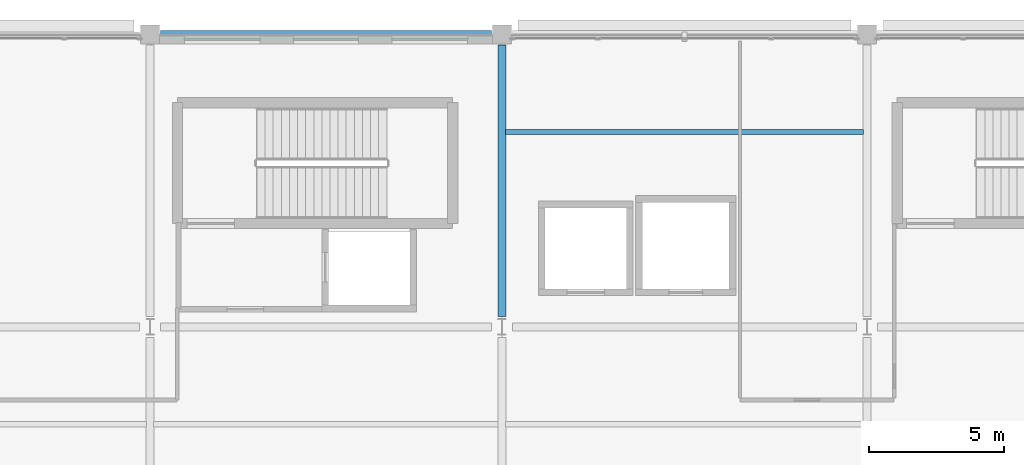
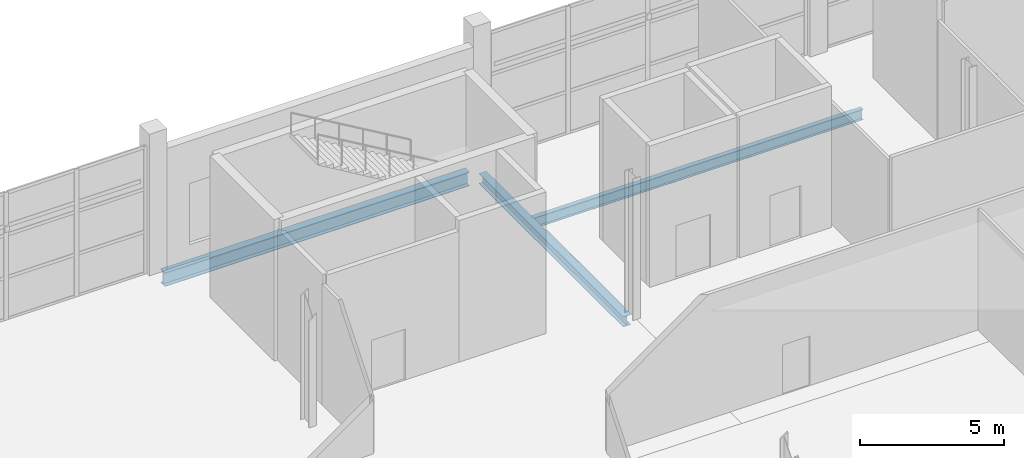
# One storey, part 141 of 191: 3 beams.
"""IFC4 building model written with IfcOpenShell, lengths in metres."""

from ifc_helpers import new_model, si_unit, direction, frame, origin, origin_2d, place, context, subcontext, project, spatial, i_section, extrude, material, material_profile, profile_set, type_object, element, save


model = new_model("IFC4")

# Units and contexts
model_context = context("Model", 3, precision=1e-05, world=origin(), true_north=direction((0.0, 1.0)))
body_context = subcontext(model_context, "Body", "Model", "MODEL_VIEW")
ifc_project = project(units=[si_unit("LENGTHUNIT", "METRE"), si_unit("AREAUNIT", "SQUARE_METRE"), si_unit("VOLUMEUNIT", "CUBIC_METRE"), si_unit("PLANEANGLEUNIT", "RADIAN"), si_unit("MASSUNIT", "GRAM", prefix="KILO")], contexts=[model_context])

# Site, building, storey
site_placement = place(None, origin())
site = spatial("IfcSite", under=ifc_project, at=site_placement, CompositionType="ELEMENT")
building_placement = place(site_placement, origin())
building = spatial("IfcBuilding", under=site, at=building_placement, Name="Tamarisk Ironworks Central Station", CompositionType="ELEMENT")
storey_placement = place(building_placement, frame((0.0, 0.0, 6.60009765625)))
storey = spatial("IfcBuildingStorey", under=building, at=storey_placement, Name="L01", CompositionType="ELEMENT", Elevation=6.60009765625)

# Beams
ifc_material = material(Name="Structural steel S355J2", Category="steel")
ifc_material_profile_1 = material_profile(ifc_material, i_section(OverallWidth=0.18994140625, OverallDepth=0.449951171875, WebThickness=0.009521484375, FlangeThickness=0.0146484375, at=origin_2d()), Name="IPE 450")
ifc_profile_set_1 = profile_set([ifc_material_profile_1], Name="Structural steel S355J2")
beam_type_1 = type_object("IfcBeamType", Name="BM-B03", PredefinedType="BEAM", material=ifc_profile_set_1)
beam_1_placement = place(storey_placement, frame((153.135009765625, 118.800048828125, -0.47509765625), z_axis=(1.0, 0.0, 0.0), x_axis=(0.0, 1.0, 0.0)))
element("IfcBeam", 1, at=beam_1_placement, inside=storey, type_object=beam_type_1, Name="L01 secondary composite beam 0088", PredefinedType="BEAM", context=body_context, shape_type="SweptSolid", body=[
    extrude(i_section(OverallWidth=0.18994140625, OverallDepth=0.449951171875, WebThickness=0.009521484375, FlangeThickness=0.0146484375, at=origin_2d()), origin(), (0.0, 0.0, 1.0), 13.22998046875),
])
ifc_material_profile_2 = material_profile(ifc_material, i_section(OverallWidth=0.300048828125, OverallDepth=0.590087890625, WebThickness=0.012939453125, FlangeThickness=0.02490234375, at=origin_2d()), Name="HEA 600")
ifc_profile_set_2 = profile_set([ifc_material_profile_2], Name="Structural steel S355J2")
beam_type_2 = type_object("IfcBeamType", Name="BM-G03", PredefinedType="BEAM", material=ifc_profile_set_2)
beam_2_placement = place(storey_placement, frame((140.387939453125, 122.39990234375, -0.545166015625), z_axis=(1.0, 0.0, 0.0), x_axis=(0.0, 1.0, 0.0)))
element("IfcBeam", 2, at=beam_2_placement, inside=storey, type_object=beam_type_2, Name="L01 primary girder X-0150", PredefinedType="BEAM", context=body_context, shape_type="SweptSolid", body=[
    extrude(i_section(OverallWidth=0.300048828125, OverallDepth=0.590087890625, WebThickness=0.012939453125, FlangeThickness=0.02490234375, at=origin_2d()), origin(), (0.0, 0.0, 1.0), 12.22412109375),
])
ifc_material_profile_3 = material_profile(ifc_material, i_section(OverallWidth=0.300048828125, OverallDepth=0.43994140625, WebThickness=0.011474609375, FlangeThickness=0.02099609375, at=origin_2d()), Name="HEA 450")
ifc_profile_set_3 = profile_set([ifc_material_profile_3], Name="Structural steel S355J2")
beam_type_3 = type_object("IfcBeamType", Name="BM-G06", PredefinedType="BEAM", material=ifc_profile_set_3)
beam_3_placement = place(storey_placement, frame((153.0, 111.988037109375, -0.47021484375), z_axis=(0.0, 1.0, 0.0), x_axis=(-1.0, 0.0, 0.0)))
element("IfcBeam", 3, at=beam_3_placement, inside=storey, type_object=beam_type_3, Name="L01 primary girder Y-0277", PredefinedType="BEAM", context=body_context, shape_type="SweptSolid", body=[
    extrude(i_section(OverallWidth=0.300048828125, OverallDepth=0.43994140625, WebThickness=0.011474609375, FlangeThickness=0.02099609375, at=origin_2d()), origin(), (0.0, 0.0, 1.0), 10.02392578125),
])

save(model, "model.ifc")
